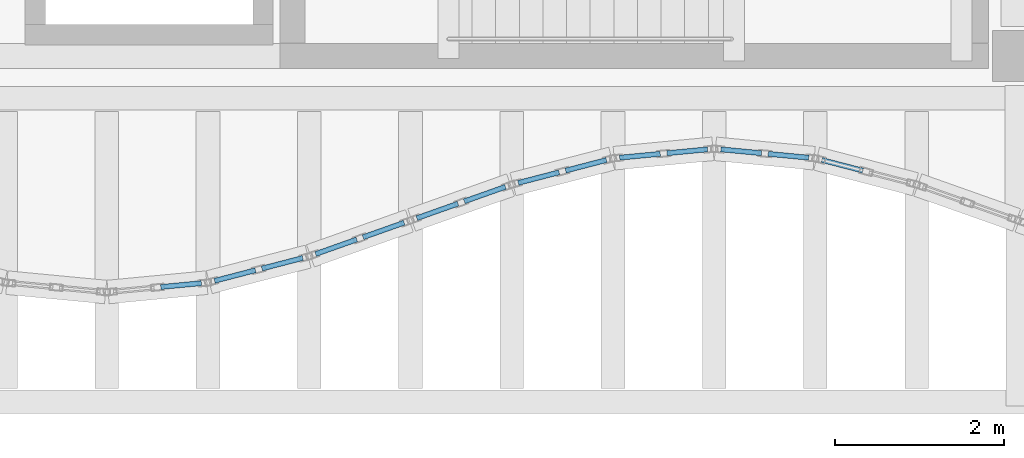
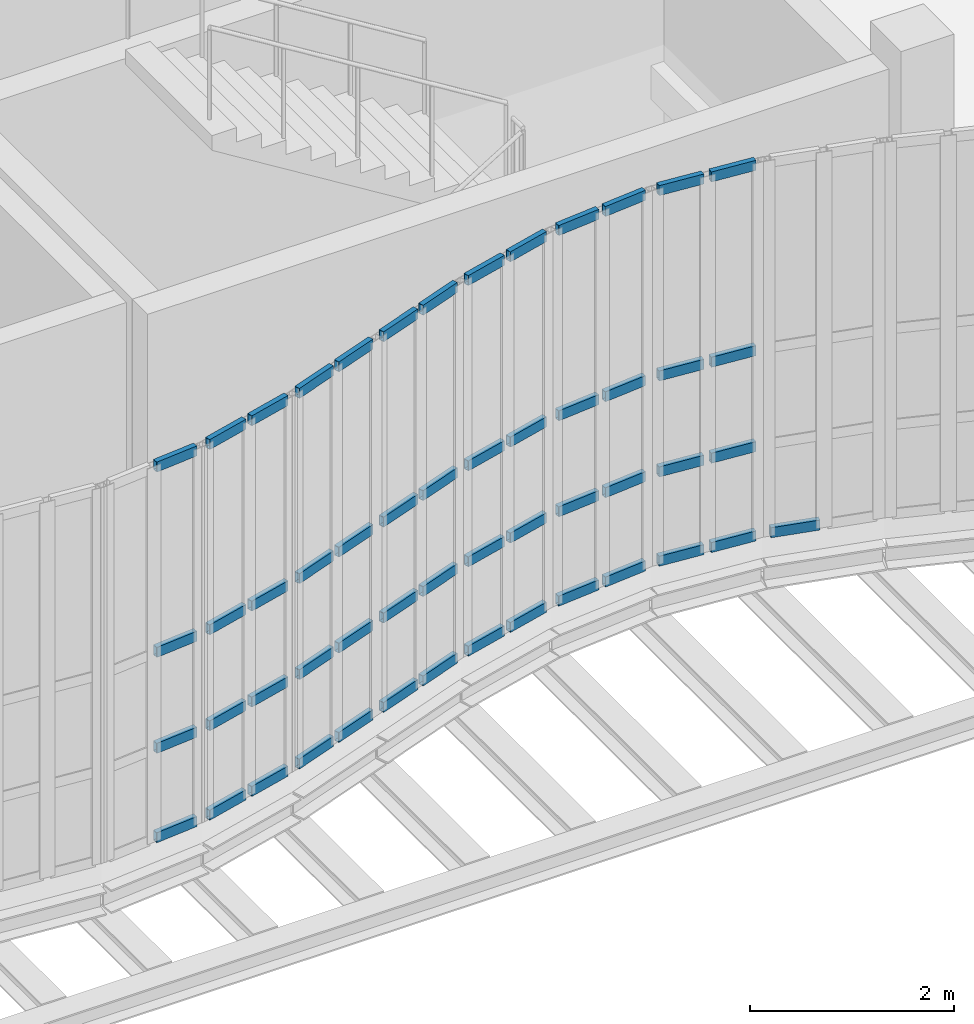
# One storey, part 61 of 105: 53 members, 8 elements without a shape of their own.
"""IFC4 building model written with IfcOpenShell, lengths in metres."""

from ifc_helpers import new_model, si_unit, direction, frame, origin, origin_2d, place, context, subcontext, project, spatial, hollow_rectangle, extrude, material, layer, layer_set, material_profile, profile_set, type_object, element, aggregate, save


model = new_model("IFC4")

# Units and contexts
model_context = context("Model", 3, precision=1e-05, world=origin(), true_north=direction((0.0, 1.0)))
body_context = subcontext(model_context, "Body", "Model", "MODEL_VIEW")
ifc_project = project(units=[si_unit("LENGTHUNIT", "METRE"), si_unit("AREAUNIT", "SQUARE_METRE"), si_unit("VOLUMEUNIT", "CUBIC_METRE"), si_unit("PLANEANGLEUNIT", "RADIAN"), si_unit("MASSUNIT", "GRAM", prefix="KILO"), si_unit("THERMODYNAMICTEMPERATUREUNIT", "KELVIN"), si_unit("POWERUNIT", "WATT")], contexts=[model_context])

# Site, building, storey
site_placement = place(None, origin())
site = spatial("IfcSite", under=ifc_project, at=site_placement, CompositionType="ELEMENT")
building_placement = place(site_placement, origin())
building = spatial("IfcBuilding", under=site, at=building_placement, Name="Kaldorven Railside Theatre", CompositionType="ELEMENT")
storey_placement = place(building_placement, frame((0.0, 0.0, 9.89990234375)))
storey = spatial("IfcBuildingStorey", under=building, at=storey_placement, Name="L02", CompositionType="ELEMENT", Elevation=9.89990234375)

# Curtain wall, members
ifc_material_1 = material(Name="Low-E laminated solar-control glass", Category="glass")
ifc_layer_1 = layer(ifc_material_1, 0.159912109375, Name="Low-E laminated solar-control glass")
ifc_layer_set_1 = layer_set([ifc_layer_1], Name="Low-E laminated solar-control glass")
curtain_wall_type_1 = type_object("IfcCurtainWallType", Name="CWT-03", PredefinedType="USERDEFINED", material=ifc_layer_set_1)
curtain_wall_1_placement = place(storey_placement, origin())
curtain_wall_1 = element("IfcCurtainWall", 1, at=curtain_wall_1_placement, inside=storey, type_object=curtain_wall_type_1, Name="Sinusoidal Fluted Curtain Wall CW-L02-S58", ObjectType="FLUTED GLAZING", PredefinedType="USERDEFINED")
ifc_material_2 = material(Name="Anodised bronze aluminium", Category="aluminium")
ifc_material_profile = material_profile(ifc_material_2, hollow_rectangle(XDim=0.06005859375, YDim=0.1201171875, WallThickness=0.0048828125, at=origin_2d()), Name="RHS 120x60x5")
ifc_profile_set = profile_set([ifc_material_profile], Name="Anodised bronze aluminium")
member_type = type_object("IfcMemberType", Name="CWT-120", PredefinedType="USERDEFINED", material=ifc_profile_set)
member_1_placement = place(storey_placement, frame((105.83984375, 16.460693359375, 0.030029296875), z_axis=(0.995515910823, 0.094594245591, 0.0), x_axis=(-0.094594245591, 0.995515910823, 0.0)))
member_1 = element("IfcMember", 2, at=member_1_placement, type_object=member_type, Name="CW-L02-S58 transom 2.1", ObjectType="TRANSOM", PredefinedType="USERDEFINED", context=body_context, shape_type="SweptSolid", body=[
    extrude(hollow_rectangle(XDim=0.06005859375, YDim=0.1201171875, WallThickness=0.0048828125, at=origin_2d()), origin(), (0.0, 0.0, 1.0), 0.482666015625),
])
member_2_placement = place(storey_placement, frame((105.83984375, 16.460693359375, 1.10009765625), z_axis=(0.995515910823, 0.094594245591, 0.0), x_axis=(-0.094594245591, 0.995515910823, 0.0)))
member_2 = element("IfcMember", 3, at=member_2_placement, type_object=member_type, Name="CW-L02-S58 transom 2.2", ObjectType="TRANSOM", PredefinedType="USERDEFINED", context=body_context, shape_type="SweptSolid", body=[
    extrude(hollow_rectangle(XDim=0.06005859375, YDim=0.1201171875, WallThickness=0.0048828125, at=origin_2d()), origin(), (0.0, 0.0, 1.0), 0.482666015625),
])
member_3_placement = place(storey_placement, frame((105.83984375, 16.460693359375, 2.25), z_axis=(0.995515910823, 0.094594245591, 0.0), x_axis=(-0.094594245591, 0.995515910823, 0.0)))
member_3 = element("IfcMember", 4, at=member_3_placement, type_object=member_type, Name="CW-L02-S58 transom 2.3", ObjectType="TRANSOM", PredefinedType="USERDEFINED", context=body_context, shape_type="SweptSolid", body=[
    extrude(hollow_rectangle(XDim=0.06005859375, YDim=0.1201171875, WallThickness=0.0048828125, at=origin_2d()), origin(), (0.0, 0.0, 1.0), 0.482666015625),
])
member_4_placement = place(storey_placement, frame((105.83984375, 16.460693359375, 4.47021484375), z_axis=(0.995515910823, 0.094594245591, 0.0), x_axis=(-0.094594245591, 0.995515910823, 0.0)))
member_4 = element("IfcMember", 5, at=member_4_placement, type_object=member_type, Name="CW-L02-S58 transom 2.4", ObjectType="TRANSOM", PredefinedType="USERDEFINED", context=body_context, shape_type="SweptSolid", body=[
    extrude(hollow_rectangle(XDim=0.06005859375, YDim=0.1201171875, WallThickness=0.0048828125, at=origin_2d()), origin(), (0.0, 0.0, 1.0), 0.482666015625),
])
aggregate(curtain_wall_1, [member_1, member_2, member_3, member_4])

ifc_layer_2 = layer(ifc_material_1, 0.159912109375, Name="Low-E laminated solar-control glass")
ifc_layer_set_2 = layer_set([ifc_layer_2], Name="Low-E laminated solar-control glass")
curtain_wall_type_2 = type_object("IfcCurtainWallType", Name="CWT-02", PredefinedType="USERDEFINED", material=ifc_layer_set_2)
curtain_wall_2_placement = place(storey_placement, origin())
curtain_wall_2 = element("IfcCurtainWall", 6, at=curtain_wall_2_placement, inside=storey, type_object=curtain_wall_type_2, Name="Sinusoidal Fluted Curtain Wall CW-L02-S59", ObjectType="FLUTED GLAZING", PredefinedType="USERDEFINED")
member_5_placement = place(storey_placement, frame((106.4775390625, 16.533935546875, 0.030029296875), z_axis=(0.967948521016, 0.251148682384, 0.0), x_axis=(-0.251148682384, 0.967948521016, 0.0)))
member_5 = element("IfcMember", 7, at=member_5_placement, type_object=member_type, Name="CW-L02-S59 transom 1.1", ObjectType="TRANSOM", PredefinedType="USERDEFINED", context=body_context, shape_type="SweptSolid", body=[
    extrude(hollow_rectangle(XDim=0.06005859375, YDim=0.1201171875, WallThickness=0.0048828125, at=origin_2d()), origin(), (0.0, 0.0, 1.0), 0.499755859375),
])
member_6_placement = place(storey_placement, frame((106.4775390625, 16.533935546875, 1.10009765625), z_axis=(0.967948521016, 0.251148682384, 0.0), x_axis=(-0.251148682384, 0.967948521016, 0.0)))
member_6 = element("IfcMember", 8, at=member_6_placement, type_object=member_type, Name="CW-L02-S59 transom 1.2", ObjectType="TRANSOM", PredefinedType="USERDEFINED", context=body_context, shape_type="SweptSolid", body=[
    extrude(hollow_rectangle(XDim=0.06005859375, YDim=0.1201171875, WallThickness=0.0048828125, at=origin_2d()), origin(), (0.0, 0.0, 1.0), 0.499755859375),
])
member_7_placement = place(storey_placement, frame((106.4775390625, 16.533935546875, 2.25), z_axis=(0.967948521016, 0.251148682384, 0.0), x_axis=(-0.251148682384, 0.967948521016, 0.0)))
member_7 = element("IfcMember", 9, at=member_7_placement, type_object=member_type, Name="CW-L02-S59 transom 1.3", ObjectType="TRANSOM", PredefinedType="USERDEFINED", context=body_context, shape_type="SweptSolid", body=[
    extrude(hollow_rectangle(XDim=0.06005859375, YDim=0.1201171875, WallThickness=0.0048828125, at=origin_2d()), origin(), (0.0, 0.0, 1.0), 0.499755859375),
])
member_8_placement = place(storey_placement, frame((106.4775390625, 16.533935546875, 4.47021484375), z_axis=(0.967948521016, 0.251148682384, 0.0), x_axis=(-0.251148682384, 0.967948521016, 0.0)))
member_8 = element("IfcMember", 10, at=member_8_placement, type_object=member_type, Name="CW-L02-S59 transom 1.4", ObjectType="TRANSOM", PredefinedType="USERDEFINED", context=body_context, shape_type="SweptSolid", body=[
    extrude(hollow_rectangle(XDim=0.06005859375, YDim=0.1201171875, WallThickness=0.0048828125, at=origin_2d()), origin(), (0.0, 0.0, 1.0), 0.499755859375),
])
member_9_placement = place(storey_placement, frame((107.038818359375, 16.679443359375, 0.030029296875), z_axis=(0.967948521016, 0.251148682384, 0.0), x_axis=(-0.251148682384, 0.967948521016, 0.0)))
member_9 = element("IfcMember", 11, at=member_9_placement, type_object=member_type, Name="CW-L02-S59 transom 2.1", ObjectType="TRANSOM", PredefinedType="USERDEFINED", context=body_context, shape_type="SweptSolid", body=[
    extrude(hollow_rectangle(XDim=0.06005859375, YDim=0.1201171875, WallThickness=0.0048828125, at=origin_2d()), origin(), (0.0, 0.0, 1.0), 0.499755859375),
])
member_10_placement = place(storey_placement, frame((107.038818359375, 16.679443359375, 1.10009765625), z_axis=(0.967948521016, 0.251148682384, 0.0), x_axis=(-0.251148682384, 0.967948521016, 0.0)))
member_10 = element("IfcMember", 12, at=member_10_placement, type_object=member_type, Name="CW-L02-S59 transom 2.2", ObjectType="TRANSOM", PredefinedType="USERDEFINED", context=body_context, shape_type="SweptSolid", body=[
    extrude(hollow_rectangle(XDim=0.06005859375, YDim=0.1201171875, WallThickness=0.0048828125, at=origin_2d()), origin(), (0.0, 0.0, 1.0), 0.499755859375),
])
member_11_placement = place(storey_placement, frame((107.038818359375, 16.679443359375, 2.25), z_axis=(0.967948521016, 0.251148682384, 0.0), x_axis=(-0.251148682384, 0.967948521016, 0.0)))
member_11 = element("IfcMember", 13, at=member_11_placement, type_object=member_type, Name="CW-L02-S59 transom 2.3", ObjectType="TRANSOM", PredefinedType="USERDEFINED", context=body_context, shape_type="SweptSolid", body=[
    extrude(hollow_rectangle(XDim=0.06005859375, YDim=0.1201171875, WallThickness=0.0048828125, at=origin_2d()), origin(), (0.0, 0.0, 1.0), 0.499755859375),
])
member_12_placement = place(storey_placement, frame((107.038818359375, 16.679443359375, 4.47021484375), z_axis=(0.967948521016, 0.251148682384, 0.0), x_axis=(-0.251148682384, 0.967948521016, 0.0)))
member_12 = element("IfcMember", 14, at=member_12_placement, type_object=member_type, Name="CW-L02-S59 transom 2.4", ObjectType="TRANSOM", PredefinedType="USERDEFINED", context=body_context, shape_type="SweptSolid", body=[
    extrude(hollow_rectangle(XDim=0.06005859375, YDim=0.1201171875, WallThickness=0.0048828125, at=origin_2d()), origin(), (0.0, 0.0, 1.0), 0.499755859375),
])
aggregate(curtain_wall_2, [member_5, member_6, member_7, member_8, member_9, member_10, member_11, member_12])

ifc_layer_3 = layer(ifc_material_1, 0.159912109375, Name="Low-E laminated solar-control glass")
ifc_layer_set_3 = layer_set([ifc_layer_3], Name="Low-E laminated solar-control glass")
curtain_wall_type_3 = type_object("IfcCurtainWallType", Name="CWT-01", PredefinedType="USERDEFINED", material=ifc_layer_set_3)
curtain_wall_3_placement = place(storey_placement, origin())
curtain_wall_3 = element("IfcCurtainWall", 15, at=curtain_wall_3_placement, inside=storey, type_object=curtain_wall_type_3, Name="Sinusoidal Fluted Curtain Wall CW-L02-S60", ObjectType="FLUTED GLAZING", PredefinedType="USERDEFINED")
member_13_placement = place(storey_placement, frame((107.67529296875, 16.851806640625, 0.030029296875), z_axis=(0.942710841688, 0.333610954502, 0.0), x_axis=(-0.333610954502, 0.942710841688, 0.0)))
member_13 = element("IfcMember", 16, at=member_13_placement, type_object=member_type, Name="CW-L02-S60 transom 1.1", ObjectType="TRANSOM", PredefinedType="USERDEFINED", context=body_context, shape_type="SweptSolid", body=[
    extrude(hollow_rectangle(XDim=0.06005859375, YDim=0.1201171875, WallThickness=0.0048828125, at=origin_2d()), origin(), (0.0, 0.0, 1.0), 0.5166015625),
])
member_14_placement = place(storey_placement, frame((107.67529296875, 16.851806640625, 1.10009765625), z_axis=(0.942710841688, 0.333610954502, 0.0), x_axis=(-0.333610954502, 0.942710841688, 0.0)))
member_14 = element("IfcMember", 17, at=member_14_placement, type_object=member_type, Name="CW-L02-S60 transom 1.2", ObjectType="TRANSOM", PredefinedType="USERDEFINED", context=body_context, shape_type="SweptSolid", body=[
    extrude(hollow_rectangle(XDim=0.06005859375, YDim=0.1201171875, WallThickness=0.0048828125, at=origin_2d()), origin(), (0.0, 0.0, 1.0), 0.5166015625),
])
member_15_placement = place(storey_placement, frame((107.67529296875, 16.851806640625, 2.25), z_axis=(0.942710841688, 0.333610954502, 0.0), x_axis=(-0.333610954502, 0.942710841688, 0.0)))
member_15 = element("IfcMember", 18, at=member_15_placement, type_object=member_type, Name="CW-L02-S60 transom 1.3", ObjectType="TRANSOM", PredefinedType="USERDEFINED", context=body_context, shape_type="SweptSolid", body=[
    extrude(hollow_rectangle(XDim=0.06005859375, YDim=0.1201171875, WallThickness=0.0048828125, at=origin_2d()), origin(), (0.0, 0.0, 1.0), 0.5166015625),
])
member_16_placement = place(storey_placement, frame((107.67529296875, 16.851806640625, 4.47021484375), z_axis=(0.942710841688, 0.333610954502, 0.0), x_axis=(-0.333610954502, 0.942710841688, 0.0)))
member_16 = element("IfcMember", 19, at=member_16_placement, type_object=member_type, Name="CW-L02-S60 transom 1.4", ObjectType="TRANSOM", PredefinedType="USERDEFINED", context=body_context, shape_type="SweptSolid", body=[
    extrude(hollow_rectangle(XDim=0.06005859375, YDim=0.1201171875, WallThickness=0.0048828125, at=origin_2d()), origin(), (0.0, 0.0, 1.0), 0.5166015625),
])
member_17_placement = place(storey_placement, frame((108.23779296875, 17.05078125, 0.030029296875), z_axis=(0.942509408488, 0.334179614745, 0.0), x_axis=(-0.334179614745, 0.942509408488, 0.0)))
member_17 = element("IfcMember", 20, at=member_17_placement, type_object=member_type, Name="CW-L02-S60 transom 2.1", ObjectType="TRANSOM", PredefinedType="USERDEFINED", context=body_context, shape_type="SweptSolid", body=[
    extrude(hollow_rectangle(XDim=0.06005859375, YDim=0.1201171875, WallThickness=0.0048828125, at=origin_2d()), origin(), (0.0, 0.0, 1.0), 0.5166015625),
])
member_18_placement = place(storey_placement, frame((108.23779296875, 17.05078125, 1.10009765625), z_axis=(0.942509408488, 0.334179614745, 0.0), x_axis=(-0.334179614745, 0.942509408488, 0.0)))
member_18 = element("IfcMember", 21, at=member_18_placement, type_object=member_type, Name="CW-L02-S60 transom 2.2", ObjectType="TRANSOM", PredefinedType="USERDEFINED", context=body_context, shape_type="SweptSolid", body=[
    extrude(hollow_rectangle(XDim=0.06005859375, YDim=0.1201171875, WallThickness=0.0048828125, at=origin_2d()), origin(), (0.0, 0.0, 1.0), 0.5166015625),
])
member_19_placement = place(storey_placement, frame((108.23779296875, 17.05078125, 2.25), z_axis=(0.942509408488, 0.334179614745, 0.0), x_axis=(-0.334179614745, 0.942509408488, 0.0)))
member_19 = element("IfcMember", 22, at=member_19_placement, type_object=member_type, Name="CW-L02-S60 transom 2.3", ObjectType="TRANSOM", PredefinedType="USERDEFINED", context=body_context, shape_type="SweptSolid", body=[
    extrude(hollow_rectangle(XDim=0.06005859375, YDim=0.1201171875, WallThickness=0.0048828125, at=origin_2d()), origin(), (0.0, 0.0, 1.0), 0.5166015625),
])
member_20_placement = place(storey_placement, frame((108.23779296875, 17.05078125, 4.47021484375), z_axis=(0.942509408488, 0.334179614745, 0.0), x_axis=(-0.334179614745, 0.942509408488, 0.0)))
member_20 = element("IfcMember", 23, at=member_20_placement, type_object=member_type, Name="CW-L02-S60 transom 2.4", ObjectType="TRANSOM", PredefinedType="USERDEFINED", context=body_context, shape_type="SweptSolid", body=[
    extrude(hollow_rectangle(XDim=0.06005859375, YDim=0.1201171875, WallThickness=0.0048828125, at=origin_2d()), origin(), (0.0, 0.0, 1.0), 0.5166015625),
])
aggregate(curtain_wall_3, [member_13, member_14, member_15, member_16, member_17, member_18, member_19, member_20])

curtain_wall_4_placement = place(storey_placement, origin())
curtain_wall_4 = element("IfcCurtainWall", 24, at=curtain_wall_4_placement, inside=storey, type_object=curtain_wall_type_3, Name="Sinusoidal Fluted Curtain Wall CW-L02-S61", ObjectType="FLUTED GLAZING", PredefinedType="USERDEFINED")
member_21_placement = place(storey_placement, frame((108.87548828125, 17.276611328125, 0.030029296875), z_axis=(0.942509408488, 0.334179614745, 0.0), x_axis=(-0.334179614745, 0.942509408488, 0.0)))
member_21 = element("IfcMember", 25, at=member_21_placement, type_object=member_type, Name="CW-L02-S61 transom 1.1", ObjectType="TRANSOM", PredefinedType="USERDEFINED", context=body_context, shape_type="SweptSolid", body=[
    extrude(hollow_rectangle(XDim=0.06005859375, YDim=0.1201171875, WallThickness=0.0048828125, at=origin_2d()), origin(), (0.0, 0.0, 1.0), 0.5166015625),
])
member_22_placement = place(storey_placement, frame((108.87548828125, 17.276611328125, 1.10009765625), z_axis=(0.942509408488, 0.334179614745, 0.0), x_axis=(-0.334179614745, 0.942509408488, 0.0)))
member_22 = element("IfcMember", 26, at=member_22_placement, type_object=member_type, Name="CW-L02-S61 transom 1.2", ObjectType="TRANSOM", PredefinedType="USERDEFINED", context=body_context, shape_type="SweptSolid", body=[
    extrude(hollow_rectangle(XDim=0.06005859375, YDim=0.1201171875, WallThickness=0.0048828125, at=origin_2d()), origin(), (0.0, 0.0, 1.0), 0.5166015625),
])
member_23_placement = place(storey_placement, frame((108.87548828125, 17.276611328125, 2.25), z_axis=(0.942509408488, 0.334179614745, 0.0), x_axis=(-0.334179614745, 0.942509408488, 0.0)))
member_23 = element("IfcMember", 27, at=member_23_placement, type_object=member_type, Name="CW-L02-S61 transom 1.3", ObjectType="TRANSOM", PredefinedType="USERDEFINED", context=body_context, shape_type="SweptSolid", body=[
    extrude(hollow_rectangle(XDim=0.06005859375, YDim=0.1201171875, WallThickness=0.0048828125, at=origin_2d()), origin(), (0.0, 0.0, 1.0), 0.5166015625),
])
member_24_placement = place(storey_placement, frame((108.87548828125, 17.276611328125, 4.47021484375), z_axis=(0.942509408488, 0.334179614745, 0.0), x_axis=(-0.334179614745, 0.942509408488, 0.0)))
member_24 = element("IfcMember", 28, at=member_24_placement, type_object=member_type, Name="CW-L02-S61 transom 1.4", ObjectType="TRANSOM", PredefinedType="USERDEFINED", context=body_context, shape_type="SweptSolid", body=[
    extrude(hollow_rectangle(XDim=0.06005859375, YDim=0.1201171875, WallThickness=0.0048828125, at=origin_2d()), origin(), (0.0, 0.0, 1.0), 0.5166015625),
])
member_25_placement = place(storey_placement, frame((109.437744140625, 17.475830078125, 0.030029296875), z_axis=(0.942658214948, 0.333759628763, 0.0), x_axis=(-0.333759628763, 0.942658214948, 0.0)))
member_25 = element("IfcMember", 29, at=member_25_placement, type_object=member_type, Name="CW-L02-S61 transom 2.1", ObjectType="TRANSOM", PredefinedType="USERDEFINED", context=body_context, shape_type="SweptSolid", body=[
    extrude(hollow_rectangle(XDim=0.06005859375, YDim=0.1201171875, WallThickness=0.0048828125, at=origin_2d()), origin(), (0.0, 0.0, 1.0), 0.516357421875),
])
member_26_placement = place(storey_placement, frame((109.437744140625, 17.475830078125, 1.10009765625), z_axis=(0.942658214948, 0.333759628763, 0.0), x_axis=(-0.333759628763, 0.942658214948, 0.0)))
member_26 = element("IfcMember", 30, at=member_26_placement, type_object=member_type, Name="CW-L02-S61 transom 2.2", ObjectType="TRANSOM", PredefinedType="USERDEFINED", context=body_context, shape_type="SweptSolid", body=[
    extrude(hollow_rectangle(XDim=0.06005859375, YDim=0.1201171875, WallThickness=0.0048828125, at=origin_2d()), origin(), (0.0, 0.0, 1.0), 0.516357421875),
])
member_27_placement = place(storey_placement, frame((109.437744140625, 17.475830078125, 2.25), z_axis=(0.942658214948, 0.333759628763, 0.0), x_axis=(-0.333759628763, 0.942658214948, 0.0)))
member_27 = element("IfcMember", 31, at=member_27_placement, type_object=member_type, Name="CW-L02-S61 transom 2.3", ObjectType="TRANSOM", PredefinedType="USERDEFINED", context=body_context, shape_type="SweptSolid", body=[
    extrude(hollow_rectangle(XDim=0.06005859375, YDim=0.1201171875, WallThickness=0.0048828125, at=origin_2d()), origin(), (0.0, 0.0, 1.0), 0.516357421875),
])
member_28_placement = place(storey_placement, frame((109.437744140625, 17.475830078125, 4.47021484375), z_axis=(0.942658214948, 0.333759628763, 0.0), x_axis=(-0.333759628763, 0.942658214948, 0.0)))
member_28 = element("IfcMember", 32, at=member_28_placement, type_object=member_type, Name="CW-L02-S61 transom 2.4", ObjectType="TRANSOM", PredefinedType="USERDEFINED", context=body_context, shape_type="SweptSolid", body=[
    extrude(hollow_rectangle(XDim=0.06005859375, YDim=0.1201171875, WallThickness=0.0048828125, at=origin_2d()), origin(), (0.0, 0.0, 1.0), 0.516357421875),
])
aggregate(curtain_wall_4, [member_21, member_22, member_23, member_24, member_25, member_26, member_27, member_28])

curtain_wall_5_placement = place(storey_placement, origin())
curtain_wall_5 = element("IfcCurtainWall", 33, at=curtain_wall_5_placement, inside=storey, type_object=curtain_wall_type_2, Name="Sinusoidal Fluted Curtain Wall CW-L02-S62", ObjectType="FLUTED GLAZING", PredefinedType="USERDEFINED")
member_29_placement = place(storey_placement, frame((110.077392578125, 17.695068359375, 0.030029296875), z_axis=(0.967979318949, 0.251029954561, 0.0), x_axis=(-0.251029954561, 0.967979318949, 0.0)))
member_29 = element("IfcMember", 34, at=member_29_placement, type_object=member_type, Name="CW-L02-S62 transom 1.1", ObjectType="TRANSOM", PredefinedType="USERDEFINED", context=body_context, shape_type="SweptSolid", body=[
    extrude(hollow_rectangle(XDim=0.06005859375, YDim=0.1201171875, WallThickness=0.0048828125, at=origin_2d()), origin(), (0.0, 0.0, 1.0), 0.5),
])
member_30_placement = place(storey_placement, frame((110.077392578125, 17.695068359375, 1.10009765625), z_axis=(0.967979318949, 0.251029954561, 0.0), x_axis=(-0.251029954561, 0.967979318949, 0.0)))
member_30 = element("IfcMember", 35, at=member_30_placement, type_object=member_type, Name="CW-L02-S62 transom 1.2", ObjectType="TRANSOM", PredefinedType="USERDEFINED", context=body_context, shape_type="SweptSolid", body=[
    extrude(hollow_rectangle(XDim=0.06005859375, YDim=0.1201171875, WallThickness=0.0048828125, at=origin_2d()), origin(), (0.0, 0.0, 1.0), 0.5),
])
member_31_placement = place(storey_placement, frame((110.077392578125, 17.695068359375, 2.25), z_axis=(0.967979318949, 0.251029954561, 0.0), x_axis=(-0.251029954561, 0.967979318949, 0.0)))
member_31 = element("IfcMember", 36, at=member_31_placement, type_object=member_type, Name="CW-L02-S62 transom 1.3", ObjectType="TRANSOM", PredefinedType="USERDEFINED", context=body_context, shape_type="SweptSolid", body=[
    extrude(hollow_rectangle(XDim=0.06005859375, YDim=0.1201171875, WallThickness=0.0048828125, at=origin_2d()), origin(), (0.0, 0.0, 1.0), 0.5),
])
member_32_placement = place(storey_placement, frame((110.077392578125, 17.695068359375, 4.47021484375), z_axis=(0.967979318949, 0.251029954561, 0.0), x_axis=(-0.251029954561, 0.967979318949, 0.0)))
member_32 = element("IfcMember", 37, at=member_32_placement, type_object=member_type, Name="CW-L02-S62 transom 1.4", ObjectType="TRANSOM", PredefinedType="USERDEFINED", context=body_context, shape_type="SweptSolid", body=[
    extrude(hollow_rectangle(XDim=0.06005859375, YDim=0.1201171875, WallThickness=0.0048828125, at=origin_2d()), origin(), (0.0, 0.0, 1.0), 0.5),
])
member_33_placement = place(storey_placement, frame((110.638671875, 17.840576171875, 0.030029296875), z_axis=(0.967979318949, 0.251029954561, 0.0), x_axis=(-0.251029954561, 0.967979318949, 0.0)))
member_33 = element("IfcMember", 38, at=member_33_placement, type_object=member_type, Name="CW-L02-S62 transom 2.1", ObjectType="TRANSOM", PredefinedType="USERDEFINED", context=body_context, shape_type="SweptSolid", body=[
    extrude(hollow_rectangle(XDim=0.06005859375, YDim=0.1201171875, WallThickness=0.0048828125, at=origin_2d()), origin(), (0.0, 0.0, 1.0), 0.5),
])
member_34_placement = place(storey_placement, frame((110.638671875, 17.840576171875, 1.10009765625), z_axis=(0.967979318949, 0.251029954561, 0.0), x_axis=(-0.251029954561, 0.967979318949, 0.0)))
member_34 = element("IfcMember", 39, at=member_34_placement, type_object=member_type, Name="CW-L02-S62 transom 2.2", ObjectType="TRANSOM", PredefinedType="USERDEFINED", context=body_context, shape_type="SweptSolid", body=[
    extrude(hollow_rectangle(XDim=0.06005859375, YDim=0.1201171875, WallThickness=0.0048828125, at=origin_2d()), origin(), (0.0, 0.0, 1.0), 0.5),
])
member_35_placement = place(storey_placement, frame((110.638671875, 17.840576171875, 2.25), z_axis=(0.967979318949, 0.251029954561, 0.0), x_axis=(-0.251029954561, 0.967979318949, 0.0)))
member_35 = element("IfcMember", 40, at=member_35_placement, type_object=member_type, Name="CW-L02-S62 transom 2.3", ObjectType="TRANSOM", PredefinedType="USERDEFINED", context=body_context, shape_type="SweptSolid", body=[
    extrude(hollow_rectangle(XDim=0.06005859375, YDim=0.1201171875, WallThickness=0.0048828125, at=origin_2d()), origin(), (0.0, 0.0, 1.0), 0.5),
])
member_36_placement = place(storey_placement, frame((110.638671875, 17.840576171875, 4.47021484375), z_axis=(0.967979318949, 0.251029954561, 0.0), x_axis=(-0.251029954561, 0.967979318949, 0.0)))
member_36 = element("IfcMember", 41, at=member_36_placement, type_object=member_type, Name="CW-L02-S62 transom 2.4", ObjectType="TRANSOM", PredefinedType="USERDEFINED", context=body_context, shape_type="SweptSolid", body=[
    extrude(hollow_rectangle(XDim=0.06005859375, YDim=0.1201171875, WallThickness=0.0048828125, at=origin_2d()), origin(), (0.0, 0.0, 1.0), 0.5),
])
aggregate(curtain_wall_5, [member_29, member_30, member_31, member_32, member_33, member_34, member_35, member_36])

curtain_wall_6_placement = place(storey_placement, origin())
curtain_wall_6 = element("IfcCurtainWall", 42, at=curtain_wall_6_placement, inside=storey, type_object=curtain_wall_type_1, Name="Sinusoidal Fluted Curtain Wall CW-L02-S63", ObjectType="FLUTED GLAZING", PredefinedType="USERDEFINED")
member_37_placement = place(storey_placement, frame((111.279541015625, 17.99365234375, 0.030029296875), z_axis=(0.995520433802, 0.094546633378, 0.0), x_axis=(-0.094546633378, 0.995520433802, 0.0)))
member_37 = element("IfcMember", 43, at=member_37_placement, type_object=member_type, Name="CW-L02-S63 transom 1.1", ObjectType="TRANSOM", PredefinedType="USERDEFINED", context=body_context, shape_type="SweptSolid", body=[
    extrude(hollow_rectangle(XDim=0.06005859375, YDim=0.1201171875, WallThickness=0.0048828125, at=origin_2d()), origin(), (0.0, 0.0, 1.0), 0.48291015625),
])
member_38_placement = place(storey_placement, frame((111.279541015625, 17.99365234375, 1.10009765625), z_axis=(0.995520433802, 0.094546633378, 0.0), x_axis=(-0.094546633378, 0.995520433802, 0.0)))
member_38 = element("IfcMember", 44, at=member_38_placement, type_object=member_type, Name="CW-L02-S63 transom 1.2", ObjectType="TRANSOM", PredefinedType="USERDEFINED", context=body_context, shape_type="SweptSolid", body=[
    extrude(hollow_rectangle(XDim=0.06005859375, YDim=0.1201171875, WallThickness=0.0048828125, at=origin_2d()), origin(), (0.0, 0.0, 1.0), 0.48291015625),
])
member_39_placement = place(storey_placement, frame((111.279541015625, 17.99365234375, 2.25), z_axis=(0.995520433802, 0.094546633378, 0.0), x_axis=(-0.094546633378, 0.995520433802, 0.0)))
member_39 = element("IfcMember", 45, at=member_39_placement, type_object=member_type, Name="CW-L02-S63 transom 1.3", ObjectType="TRANSOM", PredefinedType="USERDEFINED", context=body_context, shape_type="SweptSolid", body=[
    extrude(hollow_rectangle(XDim=0.06005859375, YDim=0.1201171875, WallThickness=0.0048828125, at=origin_2d()), origin(), (0.0, 0.0, 1.0), 0.48291015625),
])
member_40_placement = place(storey_placement, frame((111.279541015625, 17.99365234375, 4.47021484375), z_axis=(0.995520433802, 0.094546633378, 0.0), x_axis=(-0.094546633378, 0.995520433802, 0.0)))
member_40 = element("IfcMember", 46, at=member_40_placement, type_object=member_type, Name="CW-L02-S63 transom 1.4", ObjectType="TRANSOM", PredefinedType="USERDEFINED", context=body_context, shape_type="SweptSolid", body=[
    extrude(hollow_rectangle(XDim=0.06005859375, YDim=0.1201171875, WallThickness=0.0048828125, at=origin_2d()), origin(), (0.0, 0.0, 1.0), 0.48291015625),
])
member_41_placement = place(storey_placement, frame((111.83984375, 18.046875, 0.030029296875), z_axis=(0.995515910823, 0.094594245591, 0.0), x_axis=(-0.094594245591, 0.995515910823, 0.0)))
member_41 = element("IfcMember", 47, at=member_41_placement, type_object=member_type, Name="CW-L02-S63 transom 2.1", ObjectType="TRANSOM", PredefinedType="USERDEFINED", context=body_context, shape_type="SweptSolid", body=[
    extrude(hollow_rectangle(XDim=0.06005859375, YDim=0.1201171875, WallThickness=0.0048828125, at=origin_2d()), origin(), (0.0, 0.0, 1.0), 0.482666015625),
])
member_42_placement = place(storey_placement, frame((111.83984375, 18.046875, 1.10009765625), z_axis=(0.995515910823, 0.094594245591, 0.0), x_axis=(-0.094594245591, 0.995515910823, 0.0)))
member_42 = element("IfcMember", 48, at=member_42_placement, type_object=member_type, Name="CW-L02-S63 transom 2.2", ObjectType="TRANSOM", PredefinedType="USERDEFINED", context=body_context, shape_type="SweptSolid", body=[
    extrude(hollow_rectangle(XDim=0.06005859375, YDim=0.1201171875, WallThickness=0.0048828125, at=origin_2d()), origin(), (0.0, 0.0, 1.0), 0.482666015625),
])
member_43_placement = place(storey_placement, frame((111.83984375, 18.046875, 2.25), z_axis=(0.995515910823, 0.094594245591, 0.0), x_axis=(-0.094594245591, 0.995515910823, 0.0)))
member_43 = element("IfcMember", 49, at=member_43_placement, type_object=member_type, Name="CW-L02-S63 transom 2.3", ObjectType="TRANSOM", PredefinedType="USERDEFINED", context=body_context, shape_type="SweptSolid", body=[
    extrude(hollow_rectangle(XDim=0.06005859375, YDim=0.1201171875, WallThickness=0.0048828125, at=origin_2d()), origin(), (0.0, 0.0, 1.0), 0.482666015625),
])
member_44_placement = place(storey_placement, frame((111.83984375, 18.046875, 4.47021484375), z_axis=(0.995515910823, 0.094594245591, 0.0), x_axis=(-0.094594245591, 0.995515910823, 0.0)))
member_44 = element("IfcMember", 50, at=member_44_placement, type_object=member_type, Name="CW-L02-S63 transom 2.4", ObjectType="TRANSOM", PredefinedType="USERDEFINED", context=body_context, shape_type="SweptSolid", body=[
    extrude(hollow_rectangle(XDim=0.06005859375, YDim=0.1201171875, WallThickness=0.0048828125, at=origin_2d()), origin(), (0.0, 0.0, 1.0), 0.482666015625),
])
aggregate(curtain_wall_6, [member_37, member_38, member_39, member_40, member_41, member_42, member_43, member_44])

curtain_wall_7_placement = place(storey_placement, origin())
curtain_wall_7 = element("IfcCurtainWall", 51, at=curtain_wall_7_placement, inside=storey, type_object=curtain_wall_type_1, Name="Sinusoidal Fluted Curtain Wall CW-L02-S64", ObjectType="FLUTED GLAZING", PredefinedType="USERDEFINED")
member_45_placement = place(storey_placement, frame((112.479736328125, 18.092529296875, 0.030029296875), z_axis=(0.995515910823, -0.094594245591, 0.0), x_axis=(0.094594245591, 0.995515910823, 0.0)))
member_45 = element("IfcMember", 52, at=member_45_placement, type_object=member_type, Name="CW-L02-S64 transom 1.1", ObjectType="TRANSOM", PredefinedType="USERDEFINED", context=body_context, shape_type="SweptSolid", body=[
    extrude(hollow_rectangle(XDim=0.06005859375, YDim=0.1201171875, WallThickness=0.0048828125, at=origin_2d()), origin(), (0.0, 0.0, 1.0), 0.482666015625),
])
member_46_placement = place(storey_placement, frame((112.479736328125, 18.092529296875, 1.10009765625), z_axis=(0.995515910823, -0.094594245591, 0.0), x_axis=(0.094594245591, 0.995515910823, 0.0)))
member_46 = element("IfcMember", 53, at=member_46_placement, type_object=member_type, Name="CW-L02-S64 transom 1.2", ObjectType="TRANSOM", PredefinedType="USERDEFINED", context=body_context, shape_type="SweptSolid", body=[
    extrude(hollow_rectangle(XDim=0.06005859375, YDim=0.1201171875, WallThickness=0.0048828125, at=origin_2d()), origin(), (0.0, 0.0, 1.0), 0.482666015625),
])
member_47_placement = place(storey_placement, frame((112.479736328125, 18.092529296875, 2.25), z_axis=(0.995515910823, -0.094594245591, 0.0), x_axis=(0.094594245591, 0.995515910823, 0.0)))
member_47 = element("IfcMember", 54, at=member_47_placement, type_object=member_type, Name="CW-L02-S64 transom 1.3", ObjectType="TRANSOM", PredefinedType="USERDEFINED", context=body_context, shape_type="SweptSolid", body=[
    extrude(hollow_rectangle(XDim=0.06005859375, YDim=0.1201171875, WallThickness=0.0048828125, at=origin_2d()), origin(), (0.0, 0.0, 1.0), 0.482666015625),
])
member_48_placement = place(storey_placement, frame((112.479736328125, 18.092529296875, 4.47021484375), z_axis=(0.995515910823, -0.094594245591, 0.0), x_axis=(0.094594245591, 0.995515910823, 0.0)))
member_48 = element("IfcMember", 55, at=member_48_placement, type_object=member_type, Name="CW-L02-S64 transom 1.4", ObjectType="TRANSOM", PredefinedType="USERDEFINED", context=body_context, shape_type="SweptSolid", body=[
    extrude(hollow_rectangle(XDim=0.06005859375, YDim=0.1201171875, WallThickness=0.0048828125, at=origin_2d()), origin(), (0.0, 0.0, 1.0), 0.482666015625),
])
member_49_placement = place(storey_placement, frame((113.039794921875, 18.039306640625, 0.030029296875), z_axis=(0.995515910823, -0.094594245591, 0.0), x_axis=(0.094594245591, 0.995515910823, 0.0)))
member_49 = element("IfcMember", 56, at=member_49_placement, type_object=member_type, Name="CW-L02-S64 transom 2.1", ObjectType="TRANSOM", PredefinedType="USERDEFINED", context=body_context, shape_type="SweptSolid", body=[
    extrude(hollow_rectangle(XDim=0.06005859375, YDim=0.1201171875, WallThickness=0.0048828125, at=origin_2d()), origin(), (0.0, 0.0, 1.0), 0.482666015625),
])
member_50_placement = place(storey_placement, frame((113.039794921875, 18.039306640625, 1.10009765625), z_axis=(0.995515910823, -0.094594245591, 0.0), x_axis=(0.094594245591, 0.995515910823, 0.0)))
member_50 = element("IfcMember", 57, at=member_50_placement, type_object=member_type, Name="CW-L02-S64 transom 2.2", ObjectType="TRANSOM", PredefinedType="USERDEFINED", context=body_context, shape_type="SweptSolid", body=[
    extrude(hollow_rectangle(XDim=0.06005859375, YDim=0.1201171875, WallThickness=0.0048828125, at=origin_2d()), origin(), (0.0, 0.0, 1.0), 0.482666015625),
])
member_51_placement = place(storey_placement, frame((113.039794921875, 18.039306640625, 2.25), z_axis=(0.995515910823, -0.094594245591, 0.0), x_axis=(0.094594245591, 0.995515910823, 0.0)))
member_51 = element("IfcMember", 58, at=member_51_placement, type_object=member_type, Name="CW-L02-S64 transom 2.3", ObjectType="TRANSOM", PredefinedType="USERDEFINED", context=body_context, shape_type="SweptSolid", body=[
    extrude(hollow_rectangle(XDim=0.06005859375, YDim=0.1201171875, WallThickness=0.0048828125, at=origin_2d()), origin(), (0.0, 0.0, 1.0), 0.482666015625),
])
member_52_placement = place(storey_placement, frame((113.039794921875, 18.039306640625, 4.47021484375), z_axis=(0.995515910823, -0.094594245591, 0.0), x_axis=(0.094594245591, 0.995515910823, 0.0)))
member_52 = element("IfcMember", 59, at=member_52_placement, type_object=member_type, Name="CW-L02-S64 transom 2.4", ObjectType="TRANSOM", PredefinedType="USERDEFINED", context=body_context, shape_type="SweptSolid", body=[
    extrude(hollow_rectangle(XDim=0.06005859375, YDim=0.1201171875, WallThickness=0.0048828125, at=origin_2d()), origin(), (0.0, 0.0, 1.0), 0.482666015625),
])
aggregate(curtain_wall_7, [member_45, member_46, member_47, member_48, member_49, member_50, member_51, member_52])

# Curtain wall, member
curtain_wall_8_placement = place(storey_placement, origin())
curtain_wall_8 = element("IfcCurtainWall", 60, at=curtain_wall_8_placement, inside=storey, type_object=curtain_wall_type_2, Name="Sinusoidal Fluted Curtain Wall CW-L02-S65", ObjectType="FLUTED GLAZING", PredefinedType="USERDEFINED")
member_53_placement = place(storey_placement, frame((113.677490234375, 17.966064453125, 0.030029296875), z_axis=(0.967979318949, -0.251029954561, 0.0), x_axis=(0.251029954561, 0.967979318949, 0.0)))
member_53 = element("IfcMember", 61, at=member_53_placement, type_object=member_type, Name="CW-L02-S65 transom 1.1", ObjectType="TRANSOM", PredefinedType="USERDEFINED", context=body_context, shape_type="SweptSolid", body=[
    extrude(hollow_rectangle(XDim=0.06005859375, YDim=0.1201171875, WallThickness=0.0048828125, at=origin_2d()), origin(), (0.0, 0.0, 1.0), 0.5),
])
aggregate(curtain_wall_8, [member_53])

save(model, "model.ifc")
